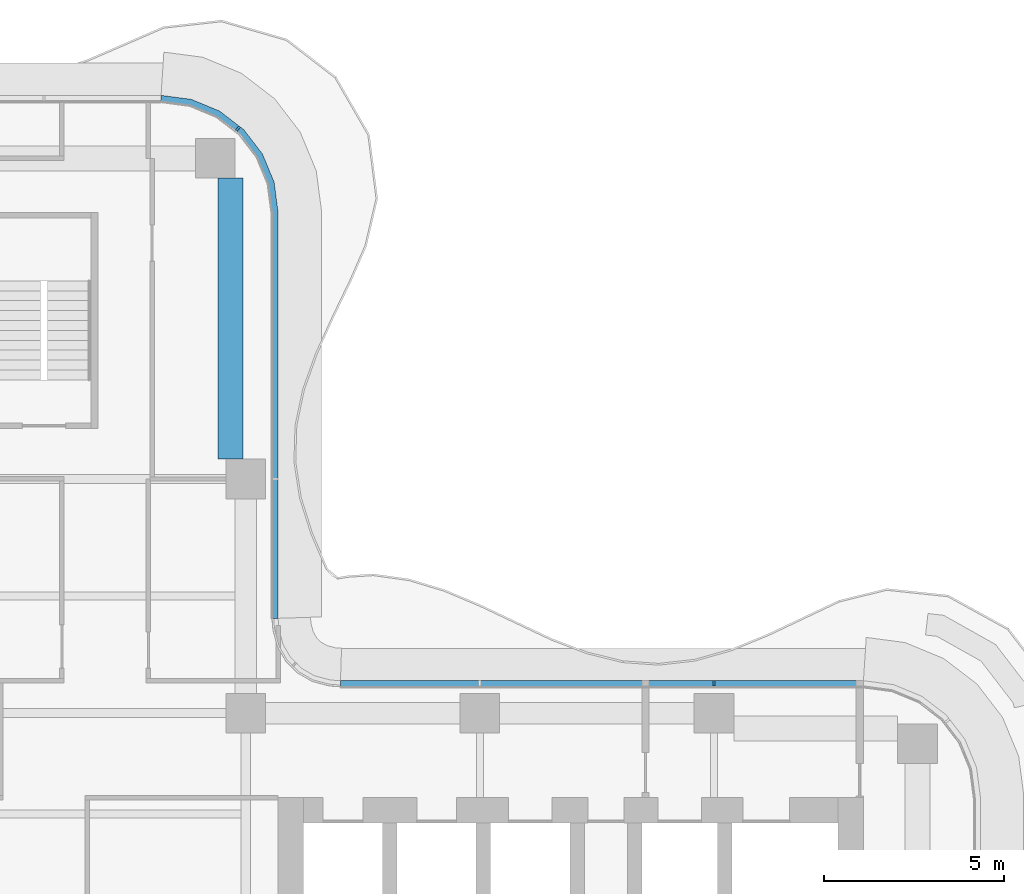
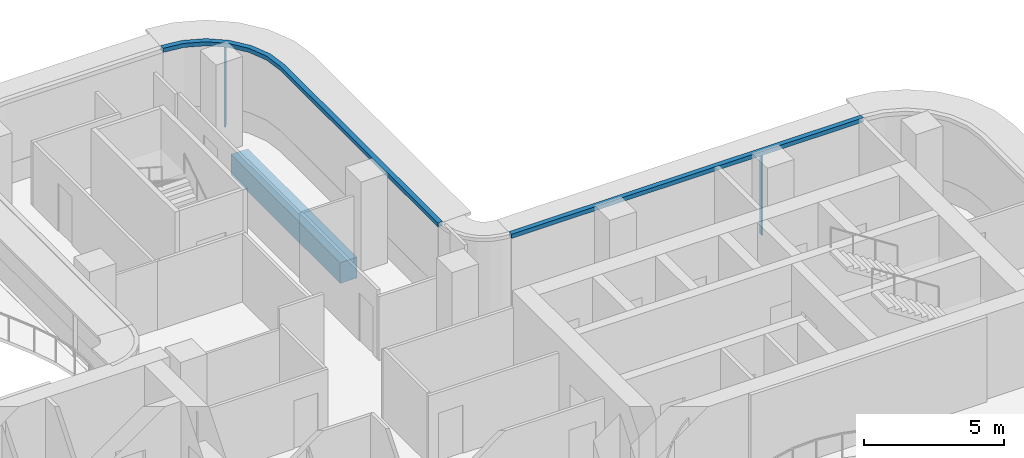
# One storey, part 8 of 17: 4 members, 1 beam, 2 elements without a shape of their own.
"""IFC4 building model written with IfcOpenShell, lengths in metres."""

from ifc_helpers import new_model, si_unit, direction, frame, origin, origin_2d, place, context, subcontext, project, spatial, polyline, rectangle, outline, extrude, source, transform, mapped, material, layer, layer_set, material_profile, profile_set, type_object, element, aggregate, save


model = new_model("IFC4")

# Units and contexts
model_context = context("Model", 3, precision=1e-05, world=origin(), true_north=direction((0.0, 1.0)))
body_context = subcontext(model_context, "Body", "Model", "MODEL_VIEW")
ifc_project = project(units=[si_unit("LENGTHUNIT", "METRE"), si_unit("AREAUNIT", "SQUARE_METRE"), si_unit("VOLUMEUNIT", "CUBIC_METRE"), si_unit("PLANEANGLEUNIT", "RADIAN"), si_unit("MASSUNIT", "GRAM", prefix="KILO")], contexts=[model_context])

# Site, building, storey
site_placement = place(None, origin())
site = spatial("IfcSite", under=ifc_project, at=site_placement, CompositionType="ELEMENT")
building_placement = place(site_placement, origin())
building = spatial("IfcBuilding", under=site, at=building_placement, Name="Trellis Farm Tower", CompositionType="ELEMENT")
storey_placement = place(building_placement, frame((0.0, 0.0, 240.199951171875)))
storey = spatial("IfcBuildingStorey", under=building, at=storey_placement, Name="L53", CompositionType="ELEMENT", Elevation=240.199951171875)

# Beam
ifc_material_1 = material(Name="Concrete C60/75", Category="concrete")
ifc_material_profile_1 = material_profile(ifc_material_1, rectangle(XDim=0.699951171875, YDim=0.89990234375, at=origin_2d()), Name="RC spandrel beam 700x900 C60/75")
ifc_profile_set_1 = profile_set([ifc_material_profile_1], Name="Concrete C60/75")
beam_type = type_object("IfcBeamType", Name="RC spandrel beam 700x900 C60/75", PredefinedType="SPANDREL", material=ifc_profile_set_1)
shared_shape_1 = source(origin(), body_context, "Body", "SweptSolid", [
    extrude(rectangle(XDim=0.699951171875, YDim=0.89990234375, at=origin_2d()), origin(), (0.0, 0.0, 1.0), 7.800048828125),
])
beam_placement = place(storey_placement, frame((5.175048828125, 12.64990234375, -0.64990234375), z_axis=(0.0, 1.0, 0.0), x_axis=(-1.0, 0.0, 0.0)))
element("IfcBeam", 1, at=beam_placement, inside=storey, type_object=beam_type, Name="Girder", PredefinedType="SPANDREL", context=body_context, shape_type="MappedRepresentation", body=[
    mapped(shared_shape_1, transform((0.0, 0.0, 0.0))),
])

# Curtain wall, member
ifc_material_2 = material(Name="Aluminium and glass curtain wall", Category="aluminium")
ifc_layer_1 = layer(ifc_material_2, 0.18994140625)
ifc_layer_set_1 = layer_set([ifc_layer_1], Name="RIBBON CURTAIN WALL CW1")
curtain_wall_type = type_object("IfcCurtainWallType", Name="RIBBON CURTAIN WALL CW1", PredefinedType="NOTDEFINED", material=ifc_layer_set_1)
placement_1 = place(storey_placement, origin())
curtain_wall_1 = element("IfcCurtainWall", 2, at=placement_1, inside=storey, type_object=curtain_wall_type, Name="CW1 008", PredefinedType="NOTDEFINED")
ifc_material_3 = material(Name="Aluminium extrusion 6063-T6", Category="aluminium")
ifc_material_profile_2 = material_profile(ifc_material_3, rectangle(XDim=0.06005859375, YDim=0.14990234375, at=origin_2d()), Name="MULLION 60x150")
ifc_profile_set_2 = profile_set([ifc_material_profile_2], Name="Aluminium extrusion 6063-T6")
member_type_1 = type_object("IfcMemberType", Name="CW1 MULLION 60x150", PredefinedType="MULLION", material=ifc_profile_set_2)
shared_shape_2 = source(origin(), body_context, "Body", "SweptSolid", [
    extrude(rectangle(XDim=0.06005859375, YDim=0.14990234375, at=origin_2d()), origin(), (0.0, 0.0, 1.0), 3.52001953125),
])
member_1_placement = place(storey_placement, frame((18.60009765625, 6.425048828125, 0.0), z_axis=(0.0, 0.0, 1.0), x_axis=(-1.0, 0.0, 0.0)))
member_1 = element("IfcMember", 3, at=member_1_placement, type_object=member_type_1, Name="MU1 008-01", PredefinedType="MULLION", context=body_context, shape_type="MappedRepresentation", body=[
    mapped(shared_shape_2, transform((0.0, 0.0, 0.0))),
])

# Curtain wall, members
curtain_wall_2 = element("IfcCurtainWall", 4, at=placement_1, inside=storey, type_object=curtain_wall_type, Name="CW1 009", PredefinedType="NOTDEFINED")
member_2_placement = place(storey_placement, frame((5.385498046875, 21.828369140625, 0.0), z_axis=(0.0, 0.0, 1.0), x_axis=(-0.793353340291, 0.608761429009, 0.0)))
member_2 = element("IfcMember", 5, at=member_2_placement, type_object=member_type_1, Name="MU1 009-02", PredefinedType="MULLION", context=body_context, shape_type="MappedRepresentation", body=[
    mapped(shared_shape_2, transform((0.0, 0.0, 0.0))),
])
ifc_layer_2 = layer(ifc_material_3, 0.199951171875)
ifc_layer_set_2 = layer_set([ifc_layer_2], Name="Aluminium extrusion 6063-T6")
member_type_2 = type_object("IfcMemberType", Name="CW1 TRANSOM 200x180", PredefinedType="USERDEFINED", material=ifc_layer_set_2)
shared_shape_3 = source(origin(), body_context, "Body", "SweptSolid", [
    extrude(outline(polyline([(6.5, 8.2314453125), (6.5, 19.5), (6.38916015625, 20.341064453125), (6.064697265625, 21.125), (5.548095703125, 21.798095703125), (4.875, 22.314697265625), (4.091064453125, 22.63916015625), (3.25, 22.75), (3.23681640625, 22.550048828125), (4.0390625, 22.4443359375), (4.774169921875, 22.139892578125), (5.405517578125, 21.655517578125), (5.889892578125, 21.024169921875), (6.1943359375, 20.2890625), (6.300048828125, 19.48681640625), (6.300048828125, 8.224853515625), (6.5, 8.2314453125)])), origin(), (0.0, 0.0, 1.0), 0.179931640625),
])
placement_2 = place(storey_placement, frame((0.0, 0.0, 3.52001953125)))
member_3 = element("IfcMember", 6, at=placement_2, type_object=member_type_2, Name="TR1 009", ObjectType="TRANSOM", PredefinedType="USERDEFINED", context=body_context, shape_type="MappedRepresentation", body=[
    mapped(shared_shape_3, transform((0.0, 0.0, 0.0))),
])
aggregate(curtain_wall_2, [member_2, member_3])

# Member
shared_shape_4 = source(origin(), body_context, "Body", "SweptSolid", [
    extrude(outline(polyline([(22.75, 6.5), (8.2314453125, 6.5), (8.224853515625, 6.300048828125), (22.73681640625, 6.300048828125), (22.75, 6.5)])), origin(), (0.0, 0.0, 1.0), 0.179931640625),
])
member_4 = element("IfcMember", 7, at=placement_2, type_object=member_type_2, Name="TR1 008", ObjectType="TRANSOM", PredefinedType="USERDEFINED", context=body_context, shape_type="MappedRepresentation", body=[
    mapped(shared_shape_4, transform((0.0, 0.0, 0.0))),
])

aggregate(curtain_wall_1, [member_1, member_4])

save(model, "model.ifc")
